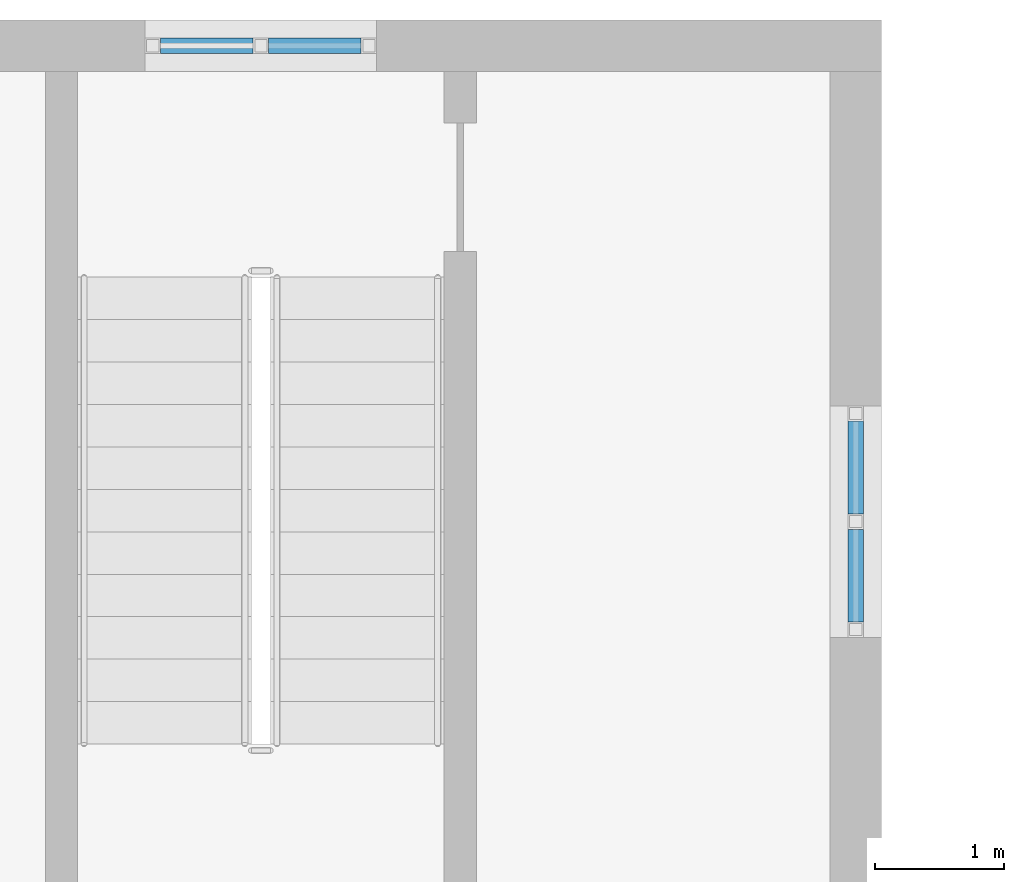
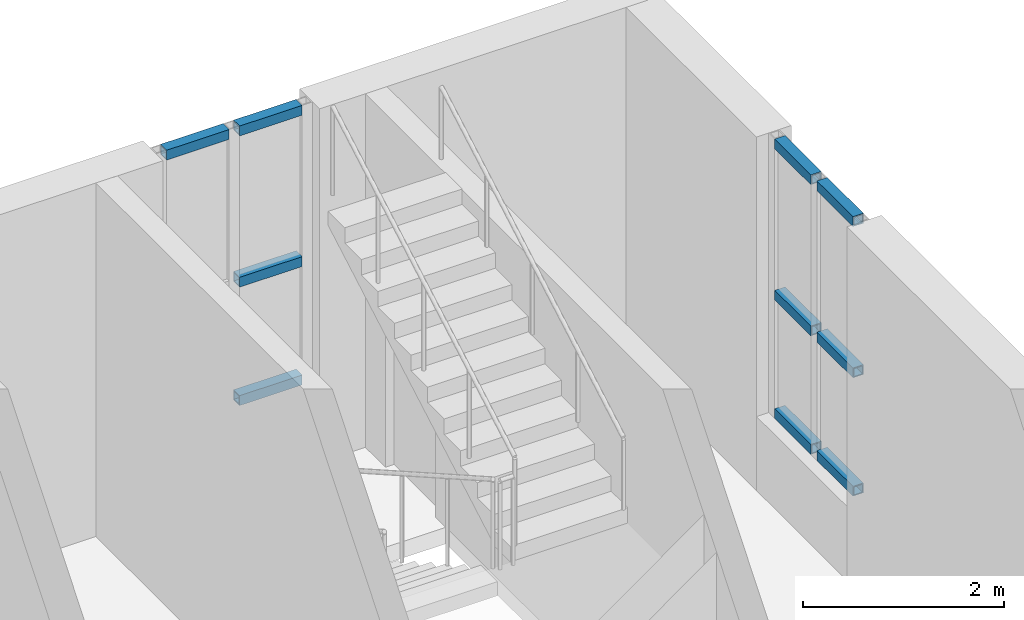
# One storey, part 59 of 131: 10 members, 2 elements without a shape of their own.
"""IFC4 building model written with IfcOpenShell, lengths in metres."""

from ifc_helpers import new_model, si_unit, direction, frame, origin, origin_2d, place, context, subcontext, project, spatial, hollow_rectangle, extrude, material, material_profile, profile_set, type_object, element, aggregate, save


model = new_model("IFC4")

# Units and contexts
model_context = context("Model", 3, precision=1e-05, world=origin(), true_north=direction((0.0, 1.0)))
body_context = subcontext(model_context, "Body", "Model", "MODEL_VIEW")
ifc_project = project(units=[si_unit("LENGTHUNIT", "METRE"), si_unit("AREAUNIT", "SQUARE_METRE"), si_unit("VOLUMEUNIT", "CUBIC_METRE"), si_unit("PLANEANGLEUNIT", "RADIAN"), si_unit("MASSUNIT", "GRAM", prefix="KILO")], contexts=[model_context])

# Site, building, storey
site_placement = place(None, origin())
site = spatial("IfcSite", under=ifc_project, at=site_placement, CompositionType="ELEMENT")
building_placement = place(site_placement, origin())
building = spatial("IfcBuilding", under=site, at=building_placement, Name="Golden Quay Civic Hall", CompositionType="ELEMENT")
storey_placement = place(building_placement, frame((0.0, 0.0, 9.89990234375)))
storey = spatial("IfcBuildingStorey", under=building, at=storey_placement, Name="L02", CompositionType="ELEMENT", Elevation=9.89990234375)

# Curtain wall, members
ifc_material_1 = material(Name="Fire-resisting glass and steel", Category="steel")
curtain_wall_type = type_object("IfcCurtainWallType", Name="Fire-resisting glazed stair curtain wall EI 120", PredefinedType="NOTDEFINED", material=ifc_material_1)
curtain_wall_1_placement = place(storey_placement, origin())
curtain_wall_1 = element("IfcCurtainWall", 1, at=curtain_wall_1_placement, inside=storey, type_object=curtain_wall_type, Name="CW4 stair curtain wall", PredefinedType="NOTDEFINED")
ifc_material_2 = material(Name="Steel S355", Category="steel")
ifc_material_profile = material_profile(ifc_material_2, hollow_rectangle(XDim=0.1201171875, YDim=0.1201171875, WallThickness=0.012451171875, at=origin_2d()), Name="SHS 120x120x12.5")
ifc_profile_set = profile_set([ifc_material_profile], Name="Steel S355")
member_type = type_object("IfcMemberType", Name="Fire-resisting steel stair transom 120 x 120", PredefinedType="USERDEFINED", material=ifc_profile_set)
member_1_placement = place(storey_placement, frame((102.594970703125, 108.0, 4.239990234375), z_axis=(1.0, 0.0, 0.0), x_axis=(0.0, 1.0, 0.0)))
member_1 = element("IfcMember", 2, at=member_1_placement, type_object=member_type, Name="CW4 transom 1.3", ObjectType="TRANSOM", PredefinedType="USERDEFINED", context=body_context, shape_type="SweptSolid", body=[
    extrude(hollow_rectangle(XDim=0.1201171875, YDim=0.1201171875, WallThickness=0.012451171875, at=origin_2d()), origin(), (0.0, 0.0, 1.0), 0.719970703125),
])
member_2_placement = place(storey_placement, frame((103.43505859375, 108.0, 0.960205078125), z_axis=(1.0, 0.0, 0.0), x_axis=(0.0, 1.0, 0.0)))
member_2 = element("IfcMember", 3, at=member_2_placement, type_object=member_type, Name="CW4 transom 2.1", ObjectType="TRANSOM", PredefinedType="USERDEFINED", context=body_context, shape_type="SweptSolid", body=[
    extrude(hollow_rectangle(XDim=0.1201171875, YDim=0.1201171875, WallThickness=0.012451171875, at=origin_2d()), origin(), (0.0, 0.0, 1.0), 0.719970703125),
])
member_3_placement = place(storey_placement, frame((103.43505859375, 108.0, 2.400146484375), z_axis=(1.0, 0.0, 0.0), x_axis=(0.0, 1.0, 0.0)))
member_3 = element("IfcMember", 4, at=member_3_placement, type_object=member_type, Name="CW4 transom 2.2", ObjectType="TRANSOM", PredefinedType="USERDEFINED", context=body_context, shape_type="SweptSolid", body=[
    extrude(hollow_rectangle(XDim=0.1201171875, YDim=0.1201171875, WallThickness=0.012451171875, at=origin_2d()), origin(), (0.0, 0.0, 1.0), 0.719970703125),
])
member_4_placement = place(storey_placement, frame((103.43505859375, 108.0, 4.239990234375), z_axis=(1.0, 0.0, 0.0), x_axis=(0.0, 1.0, 0.0)))
member_4 = element("IfcMember", 5, at=member_4_placement, type_object=member_type, Name="CW4 transom 2.3", ObjectType="TRANSOM", PredefinedType="USERDEFINED", context=body_context, shape_type="SweptSolid", body=[
    extrude(hollow_rectangle(XDim=0.1201171875, YDim=0.1201171875, WallThickness=0.012451171875, at=origin_2d()), origin(), (0.0, 0.0, 1.0), 0.719970703125),
])
aggregate(curtain_wall_1, [member_1, member_2, member_3, member_4])

curtain_wall_2_placement = place(storey_placement, origin())
curtain_wall_2 = element("IfcCurtainWall", 6, at=curtain_wall_2_placement, inside=storey, type_object=curtain_wall_type, Name="CW4 stair curtain wall", PredefinedType="NOTDEFINED")
member_5_placement = place(storey_placement, frame((108.0, 103.52001953125, 0.960205078125), z_axis=(0.0, 1.0, 0.0), x_axis=(-1.0, 0.0, 0.0)))
member_5 = element("IfcMember", 7, at=member_5_placement, type_object=member_type, Name="CW4 transom 1.1", ObjectType="TRANSOM", PredefinedType="USERDEFINED", context=body_context, shape_type="SweptSolid", body=[
    extrude(hollow_rectangle(XDim=0.1201171875, YDim=0.1201171875, WallThickness=0.012451171875, at=origin_2d()), origin(), (0.0, 0.0, 1.0), 0.719970703125),
])
member_6_placement = place(storey_placement, frame((108.0, 103.52001953125, 2.400146484375), z_axis=(0.0, 1.0, 0.0), x_axis=(-1.0, 0.0, 0.0)))
member_6 = element("IfcMember", 8, at=member_6_placement, type_object=member_type, Name="CW4 transom 1.2", ObjectType="TRANSOM", PredefinedType="USERDEFINED", context=body_context, shape_type="SweptSolid", body=[
    extrude(hollow_rectangle(XDim=0.1201171875, YDim=0.1201171875, WallThickness=0.012451171875, at=origin_2d()), origin(), (0.0, 0.0, 1.0), 0.719970703125),
])
member_7_placement = place(storey_placement, frame((108.0, 103.52001953125, 4.239990234375), z_axis=(0.0, 1.0, 0.0), x_axis=(-1.0, 0.0, 0.0)))
member_7 = element("IfcMember", 9, at=member_7_placement, type_object=member_type, Name="CW4 transom 1.3", ObjectType="TRANSOM", PredefinedType="USERDEFINED", context=body_context, shape_type="SweptSolid", body=[
    extrude(hollow_rectangle(XDim=0.1201171875, YDim=0.1201171875, WallThickness=0.012451171875, at=origin_2d()), origin(), (0.0, 0.0, 1.0), 0.719970703125),
])
member_8_placement = place(storey_placement, frame((108.0, 104.360107421875, 0.960205078125), z_axis=(0.0, 1.0, 0.0), x_axis=(-1.0, 0.0, 0.0)))
member_8 = element("IfcMember", 10, at=member_8_placement, type_object=member_type, Name="CW4 transom 2.1", ObjectType="TRANSOM", PredefinedType="USERDEFINED", context=body_context, shape_type="SweptSolid", body=[
    extrude(hollow_rectangle(XDim=0.1201171875, YDim=0.1201171875, WallThickness=0.012451171875, at=origin_2d()), origin(), (0.0, 0.0, 1.0), 0.719970703125),
])
member_9_placement = place(storey_placement, frame((108.0, 104.360107421875, 2.400146484375), z_axis=(0.0, 1.0, 0.0), x_axis=(-1.0, 0.0, 0.0)))
member_9 = element("IfcMember", 11, at=member_9_placement, type_object=member_type, Name="CW4 transom 2.2", ObjectType="TRANSOM", PredefinedType="USERDEFINED", context=body_context, shape_type="SweptSolid", body=[
    extrude(hollow_rectangle(XDim=0.1201171875, YDim=0.1201171875, WallThickness=0.012451171875, at=origin_2d()), origin(), (0.0, 0.0, 1.0), 0.719970703125),
])
member_10_placement = place(storey_placement, frame((108.0, 104.360107421875, 4.239990234375), z_axis=(0.0, 1.0, 0.0), x_axis=(-1.0, 0.0, 0.0)))
member_10 = element("IfcMember", 12, at=member_10_placement, type_object=member_type, Name="CW4 transom 2.3", ObjectType="TRANSOM", PredefinedType="USERDEFINED", context=body_context, shape_type="SweptSolid", body=[
    extrude(hollow_rectangle(XDim=0.1201171875, YDim=0.1201171875, WallThickness=0.012451171875, at=origin_2d()), origin(), (0.0, 0.0, 1.0), 0.719970703125),
])
aggregate(curtain_wall_2, [member_5, member_6, member_7, member_8, member_9, member_10])

save(model, "model.ifc")
